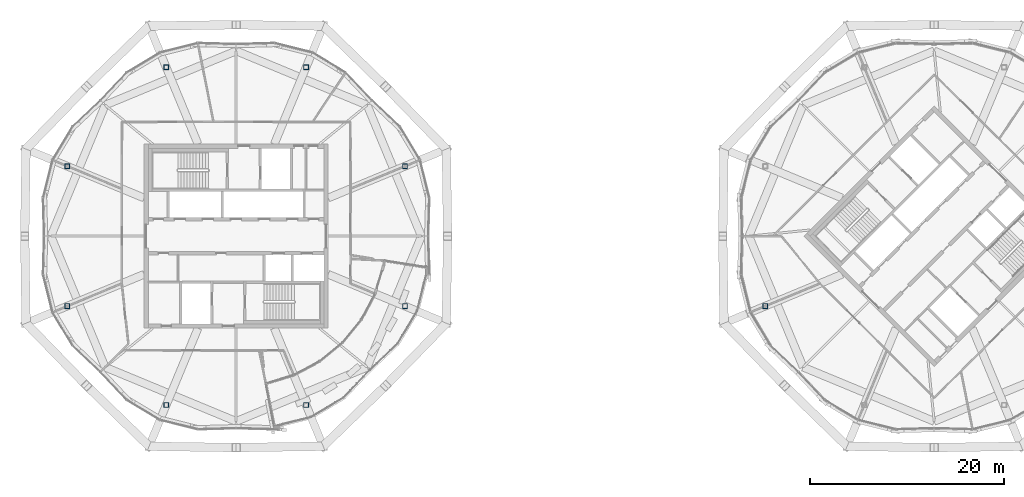
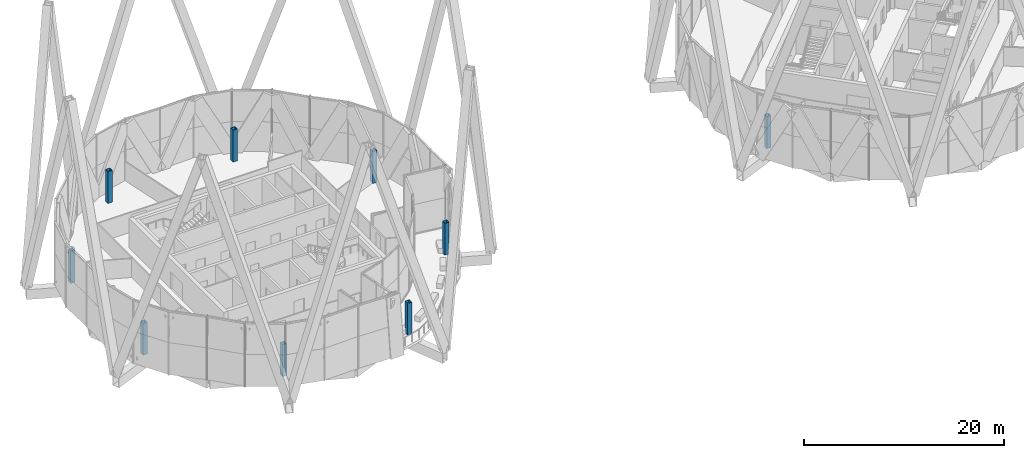
# One storey, part 1 of 53: 9 columns.
"""IFC4 building model written with IfcOpenShell, lengths in metres."""

from ifc_helpers import new_model, si_unit, direction, frame, origin, origin_2d, place, context, subcontext, project, spatial, hollow_rectangle, extrude, material, material_profile, profile_set, type_object, element, save


model = new_model("IFC4")

# Units and contexts
model_context = context("Model", 3, precision=1e-05, world=origin(), true_north=direction((0.0, 1.0)))
body_context = subcontext(model_context, "Body", "Model", "MODEL_VIEW")
ifc_project = project(units=[si_unit("LENGTHUNIT", "METRE"), si_unit("AREAUNIT", "SQUARE_METRE"), si_unit("VOLUMEUNIT", "CUBIC_METRE"), si_unit("PLANEANGLEUNIT", "RADIAN"), si_unit("MASSUNIT", "GRAM", prefix="KILO")], contexts=[model_context])

# Site, building, storey
site_placement = place(None, origin())
site = spatial("IfcSite", under=ifc_project, at=site_placement, CompositionType="ELEMENT")
building_placement = place(site_placement, origin())
building = spatial("IfcBuilding", under=site, at=building_placement, Name="Ogive Gate Towers", CompositionType="ELEMENT")
storey_placement = place(building_placement, frame((0.0, 0.0, 240.60009765625)))
storey = spatial("IfcBuildingStorey", under=building, at=storey_placement, Name="L57", CompositionType="ELEMENT", Elevation=240.60009765625)

# Columns
ifc_material = material(Name="Steel SM460", Category="steel")
ifc_material_profile = material_profile(ifc_material, hollow_rectangle(XDim=0.5, YDim=0.5, WallThickness=0.030029296875, at=origin_2d()), Name="BX 500x500x30")
ifc_profile_set = profile_set([ifc_material_profile], Name="Steel SM460")
column_type = type_object("IfcColumnType", Name="Perimeter post BX 500x500x30", PredefinedType="COLUMN", material=ifc_profile_set)
for number, where, z_axis, x_axis, name in (
    (1, (-18.57568359375, 7.217529296875, 0.0), (0.0, 0.0, 1.0), (1.0, 0.0, 0.0), "T1/L57/SCL001"),
    (2, (-28.782470703125, 17.42431640625, 0.0), (0.0, 0.0, 1.0), (1.0, 0.0, 0.0), "T1/L57/SCL002"),
    (3, (-43.217529296875, 17.42431640625, 0.0), (0.0, 0.0, 1.0), (1.0, 0.0, 0.0), "T1/L57/SCL003"),
    (4, (-53.42431640625, 7.217529296875, 0.0), (0.0, 0.0, 1.0), (1.0, 0.0, 0.0), "T1/L57/SCL004"),
    (5, (-53.42431640625, -7.217529296875, 0.0), (0.0, 0.0, 1.0), (1.0, 0.0, 0.0), "T1/L57/SCL005"),
    (6, (-43.217529296875, -17.42431640625, 0.0), (0.0, 0.0, 1.0), (1.0, 0.0, 0.0), "T1/L57/SCL006"),
    (7, (-28.782470703125, -17.42431640625, 0.0), (0.0, 0.0, 1.0), (1.0, 0.0, 0.0), "T1/L57/SCL007"),
    (8, (-18.57568359375, -7.217529296875, 0.0), (0.0, 0.0, 1.0), (1.0, 0.0, 0.0), "T1/L57/SCL008"),
    (9, (18.57568359375, -7.217529296875, 0.0), (0.0, 0.0, 1.0), (1.0, 0.0, 0.0), "T2/L57/SCL005"),
):
    element("IfcColumn", number, at=place(storey_placement, frame(where, z_axis=z_axis, x_axis=x_axis)), inside=storey, type_object=column_type, Name=name, PredefinedType="COLUMN", context=body_context, shape_type="SweptSolid", body=[
        extrude(hollow_rectangle(XDim=0.5, YDim=0.5, WallThickness=0.030029296875, at=origin_2d()), origin(), (0.0, 0.0, 1.0), 3.89990234375),
    ])

save(model, "model.ifc")
